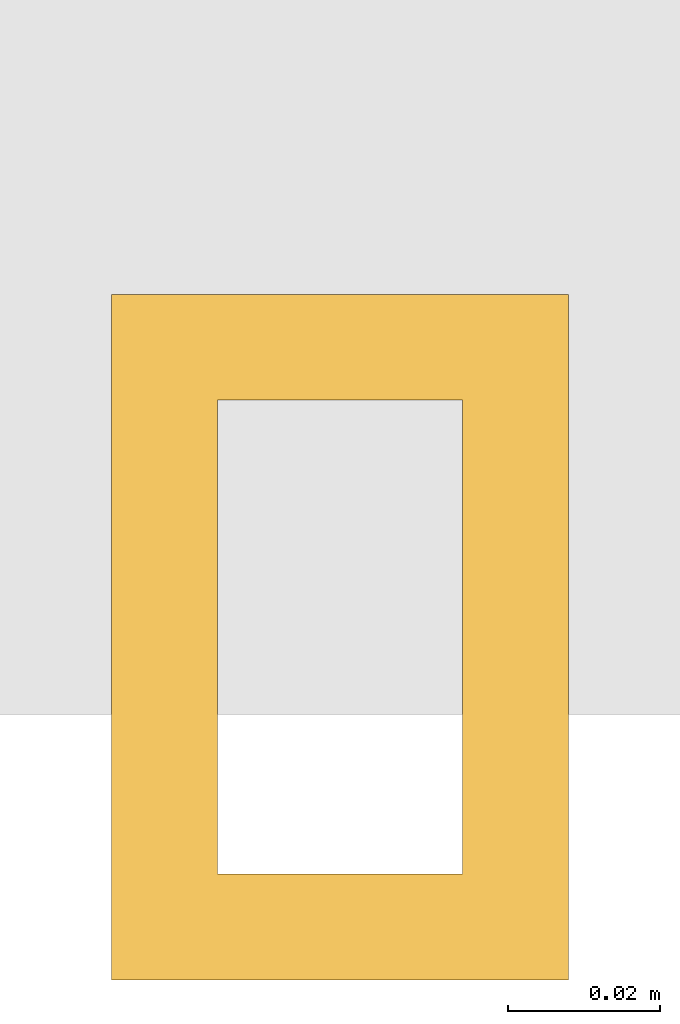
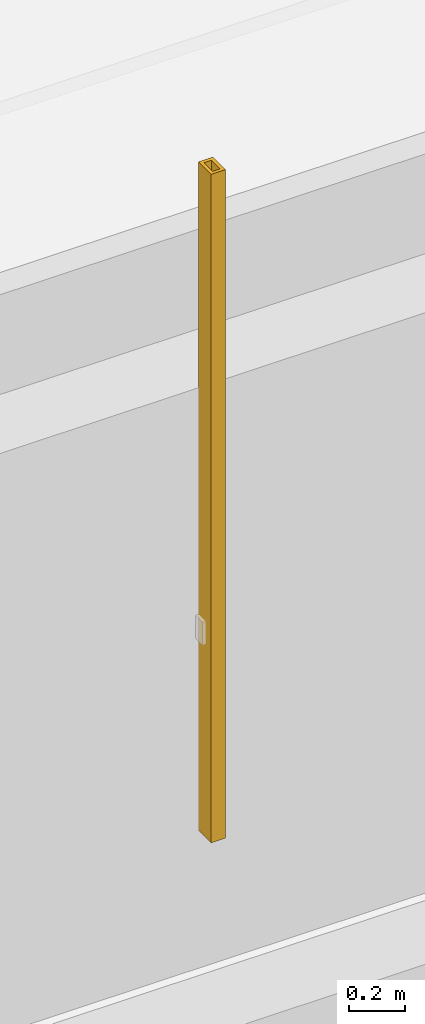
# One storey, part 21 of 27: 1 shading device.
"""IFC4 building model written with IfcOpenShell, lengths in metres."""

from ifc_helpers import new_model, si_unit, direction, frame, origin, origin_2d, place, context, subcontext, project, spatial, hollow_rectangle, extrude, material, material_profile, profile_set, type_object, element, save


model = new_model("IFC4")

# Units and contexts
model_context = context("Model", 3, precision=1e-05, world=origin(), true_north=direction((0.0, 1.0)))
body_context = subcontext(model_context, "Body", "Model", "MODEL_VIEW")
ifc_project = project(units=[si_unit("LENGTHUNIT", "METRE"), si_unit("AREAUNIT", "SQUARE_METRE"), si_unit("VOLUMEUNIT", "CUBIC_METRE"), si_unit("PLANEANGLEUNIT", "RADIAN"), si_unit("MASSUNIT", "GRAM", prefix="KILO")], contexts=[model_context])

# Site, building, storey
site_placement = place(None, origin())
site = spatial("IfcSite", under=ifc_project, at=site_placement, CompositionType="ELEMENT")
building_placement = place(site_placement, origin())
building = spatial("IfcBuilding", under=site, at=building_placement, Name="Punatoya Terracotta Tower", CompositionType="ELEMENT")
storey_placement = place(building_placement, frame((0.0, 0.0, 204.60009765625)))
storey = spatial("IfcBuildingStorey", under=building, at=storey_placement, Name="L48", CompositionType="ELEMENT", Elevation=204.60009765625)

# Shading device
ifc_material = material(Name="Architectural Fired Terracotta", Category="masonry")
ifc_material_profile = material_profile(ifc_material, hollow_rectangle(XDim=0.06005859375, YDim=0.090087890625, WallThickness=0.013916015625, at=origin_2d()))
ifc_profile_set = profile_set([ifc_material_profile], Name="Architectural Fired Terracotta")
shading_device_type = type_object("IfcShadingDeviceType", Name="SHD-JALI-90", PredefinedType="JALOUSIE", material=ifc_profile_set)
shading_device_placement = place(storey_placement, frame((12.493408203125, -23.449951171875, 0.599853515625), z_axis=(0.0, 0.0, 1.0), x_axis=(1.0, 0.0, 0.0)))
element("IfcShadingDevice", 1, at=shading_device_placement, inside=storey, type_object=shading_device_type, Name="L48 Braced Bay Terracotta Jali Fin S2", PredefinedType="JALOUSIE", context=body_context, shape_type="SweptSolid", body=[
    extrude(hollow_rectangle(XDim=0.06005859375, YDim=0.090087890625, WallThickness=0.013916015625, at=origin_2d()), origin(), (0.0, 0.0, 1.0), 2.929931640625),
])

save(model, "model.ifc")
